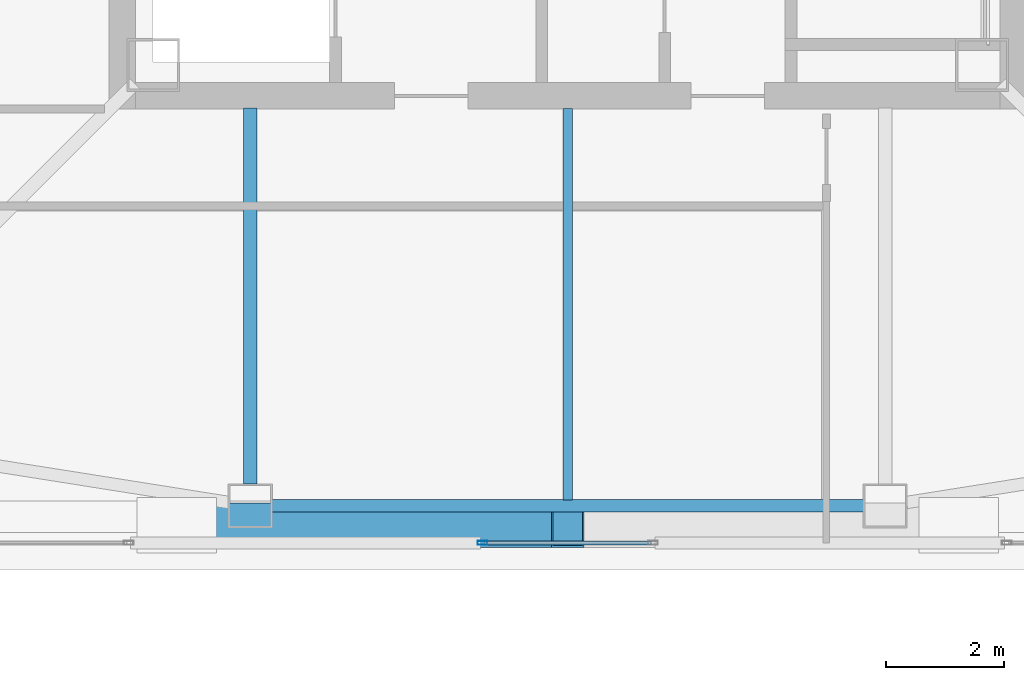
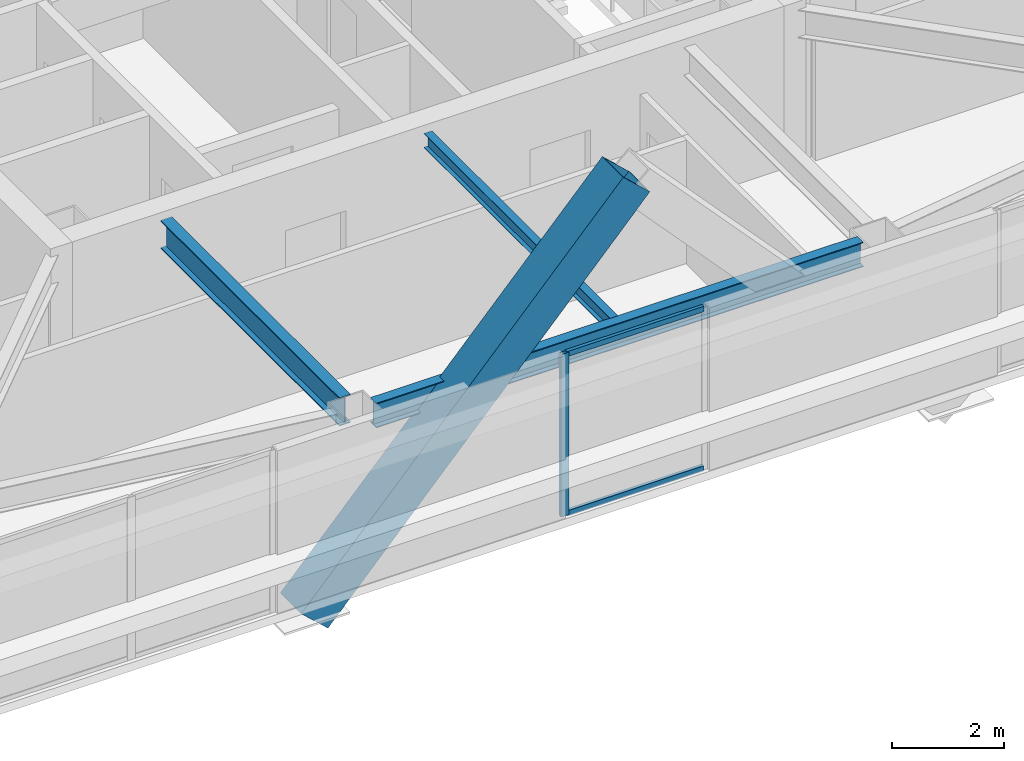
# One storey, part 3 of 24: 4 members, 3 beams, 1 element without a shape of its own.
"""IFC4 building model written with IfcOpenShell, lengths in metres."""

from ifc_helpers import new_model, si_unit, direction, frame, origin, origin_2d, place, context, subcontext, project, spatial, hollow_rectangle, i_section, extrude, material, material_profile, profile_set, type_object, element, aggregate, save


model = new_model("IFC4")

# Units and contexts
model_context = context("Model", 3, precision=1e-05, world=origin(), true_north=direction((0.0, 1.0)))
body_context = subcontext(model_context, "Body", "Model", "MODEL_VIEW")
ifc_project = project(units=[si_unit("LENGTHUNIT", "METRE"), si_unit("AREAUNIT", "SQUARE_METRE"), si_unit("VOLUMEUNIT", "CUBIC_METRE"), si_unit("PLANEANGLEUNIT", "RADIAN"), si_unit("MASSUNIT", "GRAM", prefix="KILO")], contexts=[model_context])

# Site, building, storey
site_placement = place(None, origin())
site = spatial("IfcSite", under=ifc_project, at=site_placement, CompositionType="ELEMENT")
building_placement = place(site_placement, origin())
building = spatial("IfcBuilding", under=site, at=building_placement, Name="Tashvorn Skyway Center", CompositionType="ELEMENT")
storey_placement = place(building_placement, frame((0.0, 0.0, 270.5)))
storey = spatial("IfcBuildingStorey", under=building, at=storey_placement, Name="L73", CompositionType="ELEMENT", Elevation=270.5)

# Beams
ifc_material_1 = material(Name="Steel ASTM A992 Grade 50", Category="steel")
ifc_material_profile_1 = material_profile(ifc_material_1, i_section(OverallWidth=0.22998046875, OverallDepth=0.616943359375, WebThickness=0.01318359375, FlangeThickness=0.022216796875, at=origin_2d()), Name="W24X94")
ifc_profile_set_1 = profile_set([ifc_material_profile_1], Name="Steel ASTM A992 Grade 50")
beam_type_1 = type_object("IfcBeamType", Name="BM-BEAM-W24X94", PredefinedType="BEAM", material=ifc_profile_set_1)
beam_1_placement = place(storey_placement, frame((36.60009765625, 17.820068359375, 3.0615234375), z_axis=(0.0, 1.0, 0.0), x_axis=(-1.0, 0.0, 0.0)))
element("IfcBeam", 1, at=beam_1_placement, inside=storey, type_object=beam_type_1, Name="Tower 1 L73 Primary Floor Girder FC-S1", PredefinedType="BEAM", context=body_context, shape_type="SweptSolid", body=[
    extrude(i_section(OverallWidth=0.22998046875, OverallDepth=0.616943359375, WebThickness=0.01318359375, FlangeThickness=0.022216796875, at=origin_2d()), origin(), (0.0, 0.0, 1.0), 6.39990234375),
])
ifc_material_profile_2 = material_profile(ifc_material_1, i_section(OverallWidth=0.1650390625, OverallDepth=0.31005859375, WebThickness=0.005859375, FlangeThickness=0.009765625, at=origin_2d()), Name="W12X26")
ifc_profile_set_2 = profile_set([ifc_material_profile_2], Name="Steel ASTM A992 Grade 50")
beam_type_2 = type_object("IfcBeamType", Name="BM-JOIST-W12X26", PredefinedType="JOIST", material=ifc_profile_set_2)
beam_2_placement = place(storey_placement, frame((42.0, 24.2099609375, 3.215087890625), z_axis=(0.0, -1.0, 0.0), x_axis=(1.0, 0.0, 0.0)))
element("IfcBeam", 2, at=beam_2_placement, inside=storey, type_object=beam_type_2, Name="Tower 1 L73 Secondary Composite Joist JS", PredefinedType="JOIST", context=body_context, shape_type="SweptSolid", body=[
    extrude(i_section(OverallWidth=0.1650390625, OverallDepth=0.31005859375, WebThickness=0.005859375, FlangeThickness=0.009765625, at=origin_2d()), origin(), (0.0, 0.0, 1.0), 6.662353515625),
])
ifc_material_profile_3 = material_profile(ifc_material_1, i_section(OverallWidth=0.2109375, OverallDepth=0.5390625, WebThickness=0.01171875, FlangeThickness=0.018798828125, at=origin_2d()), Name="W21X73")
ifc_profile_set_3 = profile_set([ifc_material_profile_3], Name="Steel ASTM A992 Grade 50")
beam_type_3 = type_object("IfcBeamType", Name="BM-SPANDREL-W21X73", PredefinedType="SPANDREL", material=ifc_profile_set_3)
beam_3_placement = place(storey_placement, frame((36.969970703125, 17.449951171875, 3.1005859375), z_axis=(1.0, 0.0, 0.0), x_axis=(0.0, 1.0, 0.0)))
element("IfcBeam", 3, at=beam_3_placement, inside=storey, type_object=beam_type_3, Name="Tower 1 L73 Spandrel Beam 02", PredefinedType="SPANDREL", context=body_context, shape_type="SweptSolid", body=[
    extrude(i_section(OverallWidth=0.2109375, OverallDepth=0.5390625, WebThickness=0.01171875, FlangeThickness=0.018798828125, at=origin_2d()), origin(), (0.0, 0.0, 1.0), 10.06005859375),
])

# Curtain wall, members
ifc_material_2 = material(Name="Thermally broken bronze-anodized aluminium 6063-T6", Category="aluminium")
curtain_wall_type = type_object("IfcCurtainWallType", Name="CW-CW-Z5", PredefinedType="NOTDEFINED", material=ifc_material_2)
curtain_wall_placement = place(storey_placement, origin())
curtain_wall = element("IfcCurtainWall", 4, at=curtain_wall_placement, inside=storey, type_object=curtain_wall_type, Name="Tower 1 L73 South Unitised Curtain Wall Glazing Group 2", PredefinedType="NOTDEFINED")
ifc_material_profile_4 = material_profile(ifc_material_2, hollow_rectangle(XDim=0.070068359375, YDim=0.1650390625, WallThickness=0.00390625, at=origin_2d()), Name="ALU-MULL-70x165")
ifc_profile_set_4 = profile_set([ifc_material_profile_4], Name="Thermally broken bronze-anodized aluminium 6063-T6")
member_type_1 = type_object("IfcMemberType", Name="CWM-CW-Z5", PredefinedType="MULLION", material=ifc_profile_set_4)
member_1_placement = place(storey_placement, frame((40.54833984375, 16.820068359375, 0.0), z_axis=(0.0, 0.0, 1.0), x_axis=(0.0, -1.0, 0.0)))
member_1 = element("IfcMember", 5, at=member_1_placement, type_object=member_type_1, Name="CW-Z5 mullion 2", PredefinedType="MULLION", context=body_context, shape_type="SweptSolid", body=[
    extrude(hollow_rectangle(XDim=0.070068359375, YDim=0.1650390625, WallThickness=0.00390625, at=origin_2d()), origin(), (0.0, 0.0, 1.0), 3.550048828125),
])
ifc_material_profile_5 = material_profile(ifc_material_2, hollow_rectangle(XDim=0.070068359375, YDim=0.114990234375, WallThickness=0.00390625, at=origin_2d()), Name="ALU-TRAN-70x115")
ifc_profile_set_5 = profile_set([ifc_material_profile_5], Name="Thermally broken bronze-anodized aluminium 6063-T6")
member_type_2 = type_object("IfcMemberType", Name="CWT-CW-Z5", PredefinedType="USERDEFINED", material=ifc_profile_set_5)
member_2_placement = place(storey_placement, frame((43.416748046875, 16.820068359375, 0.034912109375), z_axis=(-1.0, 0.0, 0.0), x_axis=(0.0, -1.0, 0.0)))
member_2 = element("IfcMember", 6, at=member_2_placement, type_object=member_type_2, Name="CW-Z5 transom 1.1", ObjectType="TRANSOM", PredefinedType="USERDEFINED", context=body_context, shape_type="SweptSolid", body=[
    extrude(hollow_rectangle(XDim=0.070068359375, YDim=0.114990234375, WallThickness=0.00390625, at=origin_2d()), origin(), (0.0, 0.0, 1.0), 2.83349609375),
])
member_3_placement = place(storey_placement, frame((43.416748046875, 16.820068359375, 3.514892578125), z_axis=(-1.0, 0.0, 0.0), x_axis=(0.0, -1.0, 0.0)))
member_3 = element("IfcMember", 7, at=member_3_placement, type_object=member_type_2, Name="CW-Z5 transom 1.2", ObjectType="TRANSOM", PredefinedType="USERDEFINED", context=body_context, shape_type="SweptSolid", body=[
    extrude(hollow_rectangle(XDim=0.070068359375, YDim=0.114990234375, WallThickness=0.00390625, at=origin_2d()), origin(), (0.0, 0.0, 1.0), 2.83349609375),
])
aggregate(curtain_wall, [member_1, member_2, member_3])

# Member
ifc_material_3 = material(Name="Steel ASTM A572 Grade 50", Category="steel")
ifc_material_profile_6 = material_profile(ifc_material_3, hollow_rectangle(XDim=0.75, YDim=0.75, WallThickness=0.031982421875, at=origin_2d()), Name="BOX750x750x32")
ifc_profile_set_6 = profile_set([ifc_material_profile_6], Name="Steel ASTM A572 Grade 50")
member_type_3 = type_object("IfcMemberType", Name="MEM-MB-750", PredefinedType="BRACE", material=ifc_profile_set_6)
member_4_placement = place(storey_placement, frame((35.35009765625, 17.1201171875, -0.449951171875), z_axis=(0.678489061697, 0.0, 0.734610504388), x_axis=(0.0, 1.0, 0.0)))
element("IfcMember", 8, at=member_4_placement, inside=storey, type_object=member_type_3, Name="Tower 1 Zone 7 S Chevron Mega-Brace L2", PredefinedType="BRACE", context=body_context, shape_type="SweptSolid", body=[
    extrude(hollow_rectangle(XDim=0.75, YDim=0.75, WallThickness=0.031982421875, at=origin_2d()), origin(), (0.0, 0.0, 1.0), 9.801025390625),
])

save(model, "model.ifc")
